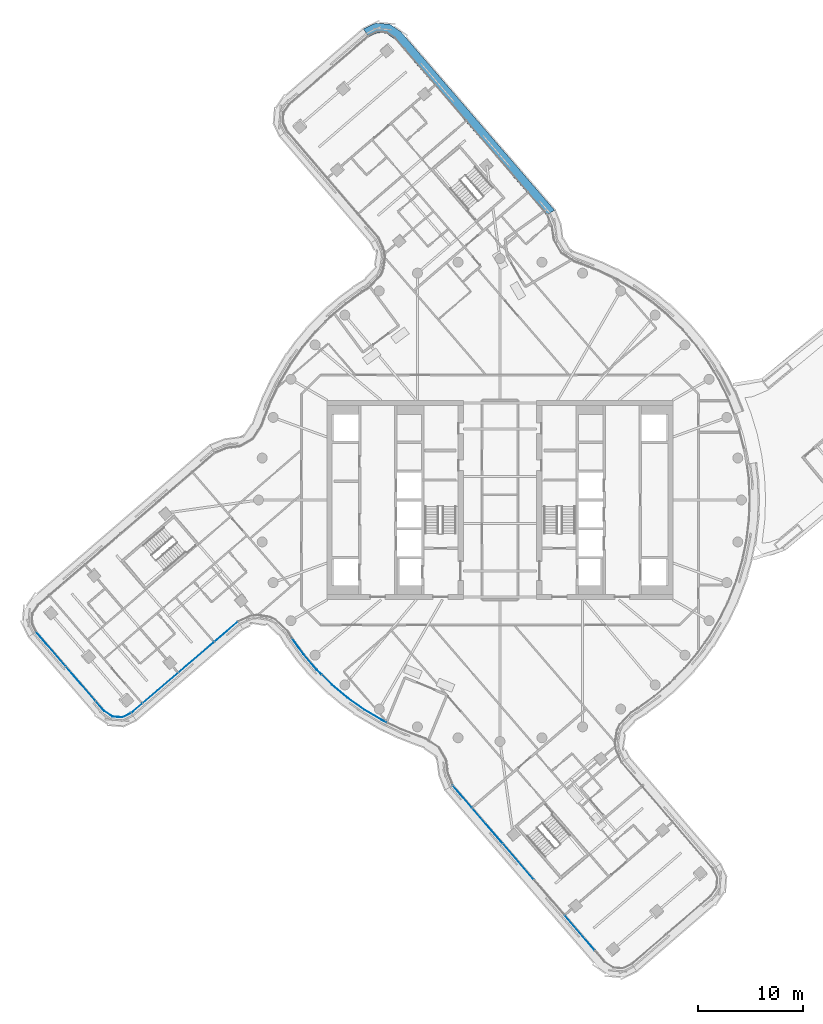
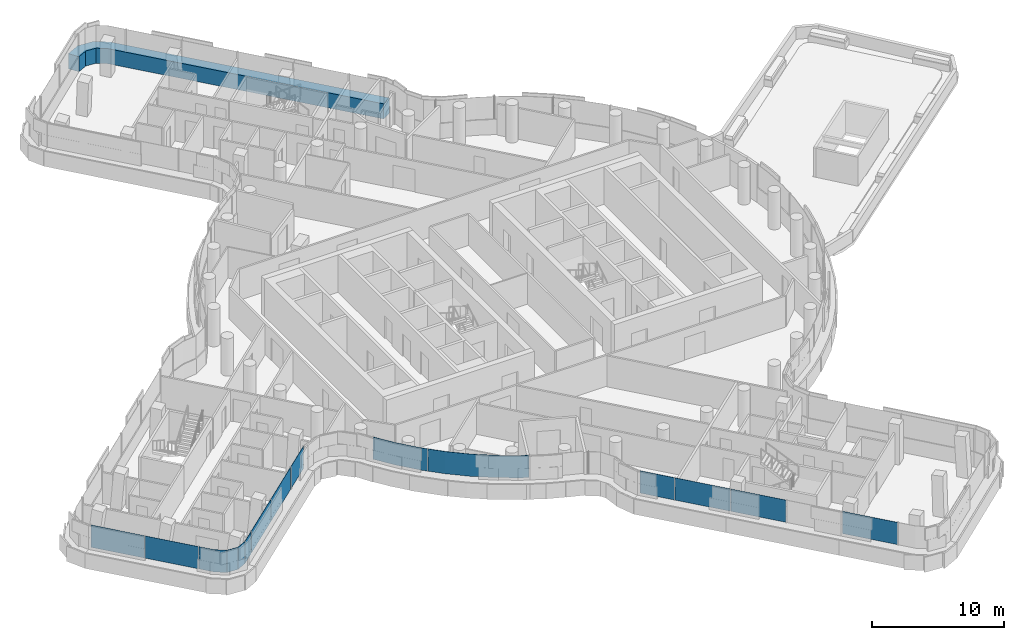
# One storey, part 17 of 34: 13 plates, 1 member, 5 elements without a shape of their own.
"""IFC4 building model written with IfcOpenShell, lengths in metres."""

from ifc_helpers import new_model, si_unit, direction, frame, origin, place, context, subcontext, project, spatial, polyline, outline, extrude, material, layer, layer_set, type_object, element, aggregate, save


model = new_model("IFC4")

# Units and contexts
model_context = context("Model", 3, precision=1e-05, world=origin(), true_north=direction((0.0, 1.0)))
body_context = subcontext(model_context, "Body", "Model", "MODEL_VIEW")
ifc_project = project(units=[si_unit("LENGTHUNIT", "METRE"), si_unit("AREAUNIT", "SQUARE_METRE"), si_unit("VOLUMEUNIT", "CUBIC_METRE"), si_unit("PLANEANGLEUNIT", "RADIAN"), si_unit("MASSUNIT", "GRAM", prefix="KILO")], contexts=[model_context])

# Site, building, storey
site_placement = place(None, origin())
site = spatial("IfcSite", under=ifc_project, at=site_placement, CompositionType="ELEMENT")
building_placement = place(site_placement, origin())
building = spatial("IfcBuilding", under=site, at=building_placement, Name="Tamarind Cross Interchange Tower", CompositionType="ELEMENT")
storey_placement = place(building_placement, frame((0.0, 0.0, 182.5)))
storey = spatial("IfcBuildingStorey", under=building, at=storey_placement, Name="L45", CompositionType="ELEMENT", Elevation=182.5)

# Curtain wall, member
ifc_material_1 = material(Name="Aluminium 6063-T6", Category="aluminium")
ifc_layer_1 = layer(ifc_material_1, 0.139892578125)
ifc_layer_set_1 = layer_set([ifc_layer_1], Name="Aluminium 6063-T6")
curtain_wall_type_1 = type_object("IfcCurtainWallType", Name="Hotel curtain wall, 4.5 m bays", PredefinedType="NOTDEFINED", material=ifc_layer_set_1)
curtain_wall_1_placement = place(storey_placement, origin())
curtain_wall_1 = element("IfcCurtainWall", 1, at=curtain_wall_1_placement, inside=storey, type_object=curtain_wall_type_1, Name="CWS-L45-11", PredefinedType="NOTDEFINED")
ifc_material_2 = material(Name="Aluminium and insulated spandrel panel", Category="aluminium")
member_type = type_object("IfcMemberType", Name="Floor-edge blade transom", PredefinedType="USERDEFINED", material=ifc_material_2)
member_placement = place(storey_placement, origin())
member = element("IfcMember", 2, at=member_placement, type_object=member_type, Name="CWT-L45-11", ObjectType="TRANSOM", PredefinedType="USERDEFINED", context=body_context, shape_type="SweptSolid", body=[
    extrude(outline(polyline([(4.418701171875, 27.135986328125), (-10.051513671875, 43.931396484375), (-10.808349609375, 44.446533203125), (-11.680419921875, 44.511474609375), (-12.5048828125, 44.11376953125), (-13.00244140625, 44.873046875), (-11.85400390625, 45.4267578125), (-10.5009765625, 45.326171875), (-9.447021484375, 44.608642578125), (5.2001953125, 27.607666015625), (4.418701171875, 27.135986328125)])), origin(), (0.0, 0.0, 1.0), 1.39990234375),
])
aggregate(curtain_wall_1, [member])

# Curtain wall, plates
curtain_wall_2_placement = place(storey_placement, origin())
curtain_wall_2 = element("IfcCurtainWall", 3, at=curtain_wall_2_placement, inside=storey, type_object=curtain_wall_type_1, Name="CWS-L45-04", PredefinedType="NOTDEFINED")
ifc_material_3 = material(Name="Laminated low-e glass 6+1.52+6", Category="glass")
ifc_layer_2 = layer(ifc_material_3, 0.02392578125)
ifc_layer_set_2 = layer_set([ifc_layer_2], Name="Laminated low-e glass 6+1.52+6")
plate_type_1 = type_object("IfcPlateType", Name="Vision panel CW2", PredefinedType="CURTAIN_PANEL", material=ifc_layer_set_2)
plate_1_placement = place(storey_placement, frame((0.0, 0.0, 1.39990234375)))
plate_1 = element("IfcPlate", 4, at=plate_1_placement, type_object=plate_type_1, Name="CWP-L45-04-00", PredefinedType="CURTAIN_PANEL", context=body_context, shape_type="SweptSolid", body=[
    extrude(outline(polyline([(-44.16943359375, -12.574951171875), (-41.3720703125, -15.82177734375), (-41.390380859375, -15.83740234375), (-44.187744140625, -12.5908203125), (-44.16943359375, -12.574951171875)])), origin(), (0.0, 0.0, 1.0), 2.06005859375),
])
plate_2_placement = place(storey_placement, frame((0.0, 0.0, 1.39990234375)))
plate_2 = element("IfcPlate", 5, at=plate_2_placement, type_object=plate_type_1, Name="CWP-L45-04-01", PredefinedType="CURTAIN_PANEL", context=body_context, shape_type="SweptSolid", body=[
    extrude(outline(polyline([(-41.3330078125, -15.8671875), (-38.53564453125, -19.114013671875), (-38.553955078125, -19.129638671875), (-41.35107421875, -15.883056640625), (-41.3330078125, -15.8671875)])), origin(), (0.0, 0.0, 1.0), 2.06005859375),
])
plate_3_placement = place(storey_placement, frame((0.0, 0.0, 1.39990234375)))
plate_3 = element("IfcPlate", 6, at=plate_3_placement, type_object=plate_type_1, Name="CWP-L45-04-02", PredefinedType="CURTAIN_PANEL", context=body_context, shape_type="SweptSolid", body=[
    extrude(outline(polyline([(-38.49658203125, -19.159423828125), (-37.697265625, -20.087158203125), (-36.91162109375, -20.622314453125), (-35.992431640625, -20.690673828125), (-35.161376953125, -20.289794921875), (-35.151123046875, -20.3115234375), (-35.98779296875, -20.715087890625), (-36.919677734375, -20.645751953125), (-37.71337890625, -20.105224609375), (-38.5146484375, -19.175048828125), (-38.49658203125, -19.159423828125)])), origin(), (0.0, 0.0, 1.0), 2.06005859375),
])
aggregate(curtain_wall_2, [plate_1, plate_2, plate_3])

curtain_wall_3_placement = place(storey_placement, origin())
curtain_wall_3 = element("IfcCurtainWall", 7, at=curtain_wall_3_placement, inside=storey, type_object=curtain_wall_type_1, Name="CWS-L45-05", PredefinedType="NOTDEFINED")
plate_4_placement = place(storey_placement, frame((0.0, 0.0, 1.39990234375)))
plate_4 = element("IfcPlate", 8, at=plate_4_placement, type_object=plate_type_1, Name="CWP-L45-05-00", PredefinedType="CURTAIN_PANEL", context=body_context, shape_type="SweptSolid", body=[
    extrude(outline(polyline([(-35.1142578125, -20.259033203125), (-34.08447265625, -19.377197265625), (-34.06884765625, -19.3955078125), (-35.0986328125, -20.27734375), (-35.1142578125, -20.259033203125)])), origin(), (0.0, 0.0, 1.0), 2.06005859375),
])
plate_5_placement = place(storey_placement, frame((0.0, 0.0, 1.39990234375)))
plate_5 = element("IfcPlate", 9, at=plate_5_placement, type_object=plate_type_1, Name="CWP-L45-05-01", PredefinedType="CURTAIN_PANEL", context=body_context, shape_type="SweptSolid", body=[
    extrude(outline(polyline([(-34.038818359375, -19.338134765625), (-30.665283203125, -16.449951171875), (-30.649658203125, -16.46826171875), (-34.023193359375, -19.3564453125), (-34.038818359375, -19.338134765625)])), origin(), (0.0, 0.0, 1.0), 2.06005859375),
])
plate_6_placement = place(storey_placement, frame((0.0, 0.0, 1.39990234375)))
plate_6 = element("IfcPlate", 10, at=plate_6_placement, type_object=plate_type_1, Name="CWP-L45-05-02", PredefinedType="CURTAIN_PANEL", context=body_context, shape_type="SweptSolid", body=[
    extrude(outline(polyline([(-30.61962890625, -16.410888671875), (-27.24609375, -13.522705078125), (-27.230712890625, -13.541015625), (-30.60400390625, -16.42919921875), (-30.61962890625, -16.410888671875)])), origin(), (0.0, 0.0, 1.0), 2.06005859375),
])
plate_7_placement = place(storey_placement, frame((0.0, 0.0, 1.39990234375)))
plate_7 = element("IfcPlate", 11, at=plate_7_placement, type_object=plate_type_1, Name="CWP-L45-05-03", PredefinedType="CURTAIN_PANEL", context=body_context, shape_type="SweptSolid", body=[
    extrude(outline(polyline([(-27.20068359375, -13.483642578125), (-24.98193359375, -11.584228515625), (-24.96630859375, -11.6025390625), (-27.18505859375, -13.501953125), (-27.20068359375, -13.483642578125)])), origin(), (0.0, 0.0, 1.0), 2.06005859375),
])
aggregate(curtain_wall_3, [plate_4, plate_5, plate_6, plate_7])

curtain_wall_4_placement = place(storey_placement, origin())
curtain_wall_4 = element("IfcCurtainWall", 12, at=curtain_wall_4_placement, inside=storey, type_object=curtain_wall_type_1, Name="CWS-L45-07", PredefinedType="NOTDEFINED")
plate_8_placement = place(storey_placement, frame((0.0, 0.0, 1.39990234375)))
plate_8 = element("IfcPlate", 13, at=plate_8_placement, type_object=plate_type_1, Name="CWP-L45-07-00", PredefinedType="CURTAIN_PANEL", context=body_context, shape_type="SweptSolid", body=[
    extrude(outline(polyline([(-4.47705078125, -27.203369140625), (-2.66455078125, -29.306640625), (-2.682861328125, -29.322509765625), (-4.4951171875, -27.218994140625), (-4.47705078125, -27.203369140625)])), origin(), (0.0, 0.0, 1.0), 2.06005859375),
])
plate_9_placement = place(storey_placement, frame((0.0, 0.0, 1.39990234375)))
plate_9 = element("IfcPlate", 14, at=plate_9_placement, type_object=plate_type_1, Name="CWP-L45-07-01", PredefinedType="CURTAIN_PANEL", context=body_context, shape_type="SweptSolid", body=[
    extrude(outline(polyline([(-2.62548828125, -29.352294921875), (0.2646484375, -32.70654296875), (0.246337890625, -32.72216796875), (-2.6435546875, -29.367919921875), (-2.62548828125, -29.352294921875)])), origin(), (0.0, 0.0, 1.0), 2.06005859375),
])
plate_10_placement = place(storey_placement, frame((0.0, 0.0, 1.39990234375)))
plate_10 = element("IfcPlate", 15, at=plate_10_placement, type_object=plate_type_1, Name="CWP-L45-07-02", PredefinedType="CURTAIN_PANEL", context=body_context, shape_type="SweptSolid", body=[
    extrude(outline(polyline([(0.3037109375, -32.751953125), (3.19384765625, -36.106689453125), (3.17578125, -36.122314453125), (0.28564453125, -32.767822265625), (0.3037109375, -32.751953125)])), origin(), (0.0, 0.0, 1.0), 2.06005859375),
])
plate_11_placement = place(storey_placement, frame((0.0, 0.0, 1.39990234375)))
plate_11 = element("IfcPlate", 16, at=plate_11_placement, type_object=plate_type_1, Name="CWP-L45-07-04", PredefinedType="CURTAIN_PANEL", context=body_context, shape_type="SweptSolid", body=[
    extrude(outline(polyline([(6.162353515625, -39.552001953125), (9.052490234375, -42.906494140625), (9.034423828125, -42.922119140625), (6.144287109375, -39.567626953125), (6.162353515625, -39.552001953125)])), origin(), (0.0, 0.0, 1.0), 2.06005859375),
])
aggregate(curtain_wall_4, [plate_8, plate_9, plate_10, plate_11])

ifc_layer_3 = layer(ifc_material_1, 0.14990234375)
ifc_layer_set_3 = layer_set([ifc_layer_3], Name="Aluminium 6063-T6")
curtain_wall_type_2 = type_object("IfcCurtainWallType", Name="Winter garden and crown curtain wall", PredefinedType="NOTDEFINED", material=ifc_layer_set_3)
curtain_wall_5_placement = place(storey_placement, origin())
curtain_wall_5 = element("IfcCurtainWall", 17, at=curtain_wall_5_placement, inside=storey, type_object=curtain_wall_type_2, Name="CWS-L45-06", PredefinedType="NOTDEFINED")
ifc_material_4 = material(Name="Laminated low-e glass 8+1.52+8", Category="glass")
ifc_layer_4 = layer(ifc_material_4, 0.030029296875)
ifc_layer_set_4 = layer_set([ifc_layer_4], Name="Laminated low-e glass 8+1.52+8")
plate_type_2 = type_object("IfcPlateType", Name="Vision panel CW6", PredefinedType="CURTAIN_PANEL", material=ifc_layer_set_4)
plate_12_placement = place(storey_placement, frame((0.0, 0.0, 1.39990234375)))
plate_12 = element("IfcPlate", 18, at=plate_12_placement, type_object=plate_type_2, Name="CWP-L45-06-01", PredefinedType="CURTAIN_PANEL", context=body_context, shape_type="SweptSolid", body=[
    extrude(outline(polyline([(-19.776611328125, -13.197265625), (-18.703369140625, -14.68701171875), (-17.426513671875, -16.181396484375), (-16.997802734375, -16.606689453125), (-17.018798828125, -16.6279296875), (-17.448486328125, -16.201904296875), (-18.72705078125, -14.70556640625), (-19.801025390625, -13.21484375), (-19.776611328125, -13.197265625)])), origin(), (0.0, 0.0, 1.0), 2.06005859375),
])
plate_13_placement = place(storey_placement, frame((0.0, 0.0, 1.39990234375)))
plate_13 = element("IfcPlate", 19, at=plate_13_placement, type_object=plate_type_2, Name="CWP-L45-06-02", PredefinedType="CURTAIN_PANEL", context=body_context, shape_type="SweptSolid", body=[
    extrude(outline(polyline([(-16.955078125, -16.64892578125), (-16.03076171875, -17.565185546875), (-14.525634765625, -18.8291015625), (-12.921142578125, -19.96435546875), (-11.228271484375, -20.963134765625), (-10.737060546875, -21.20068359375), (-10.75, -21.2275390625), (-11.242431640625, -20.989501953125), (-12.937255859375, -19.989501953125), (-14.5439453125, -18.852783203125), (-16.051025390625, -17.58740234375), (-16.976318359375, -16.670166015625), (-16.955078125, -16.64892578125)])), origin(), (0.0, 0.0, 1.0), 2.06005859375),
])
aggregate(curtain_wall_5, [plate_12, plate_13])

save(model, "model.ifc")
